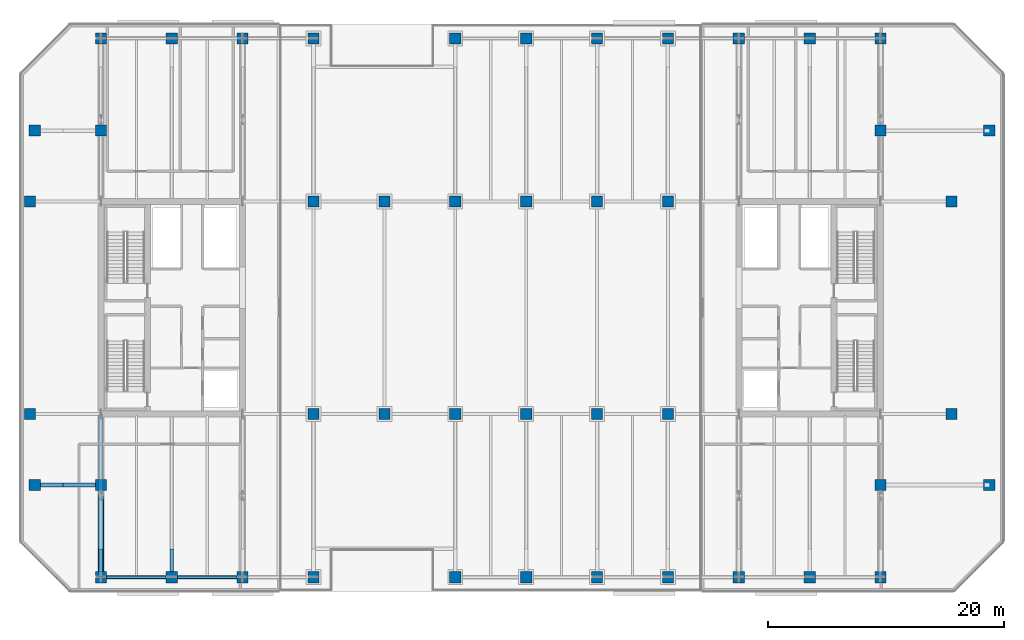
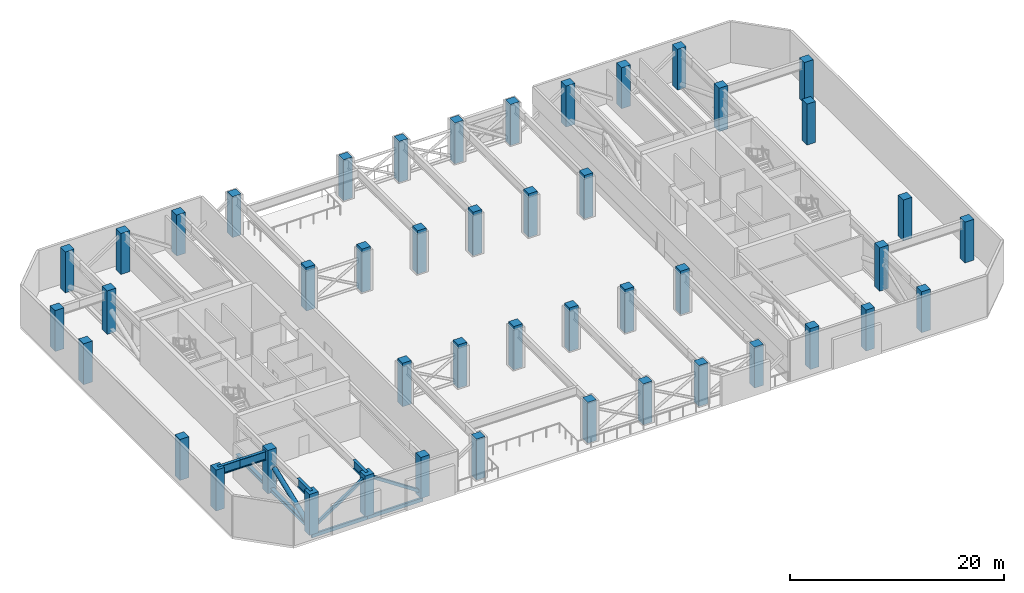
# One storey, part 1 of 21: 46 columns, 6 beams, 4 members.
"""IFC4 building model written with IfcOpenShell, lengths in metres."""

from ifc_helpers import new_model, si_unit, direction, frame, origin, origin_2d, place, context, subcontext, project, spatial, rectangle, hollow_rectangle, hollow_circle, i_section, extrude, material, material_profile, profile_set, type_object, element, save


model = new_model("IFC4")

# Units and contexts
model_context = context("Model", 3, precision=1e-05, world=origin(), true_north=direction((0.0, 1.0)))
body_context = subcontext(model_context, "Body", "Model", "MODEL_VIEW")
ifc_project = project(units=[si_unit("LENGTHUNIT", "METRE"), si_unit("AREAUNIT", "SQUARE_METRE"), si_unit("VOLUMEUNIT", "CUBIC_METRE"), si_unit("PLANEANGLEUNIT", "RADIAN"), si_unit("MASSUNIT", "GRAM", prefix="KILO")], contexts=[model_context])

# Site, building, storey
site_placement = place(None, origin())
site = spatial("IfcSite", under=ifc_project, at=site_placement, CompositionType="ELEMENT")
building_placement = place(site_placement, origin())
building = spatial("IfcBuilding", under=site, at=building_placement, Name="Tanjung Sevakor Pilgrim Tower", CompositionType="ELEMENT")
storey_placement = place(building_placement, frame((0.0, 0.0, 123.090087890625)))
storey = spatial("IfcBuildingStorey", under=building, at=storey_placement, Name="L34", CompositionType="ELEMENT", Elevation=123.090087890625)

# Columns
ifc_material_1 = material(Name="Concrete C60/75", Category="concrete")
ifc_material_profile_1 = material_profile(ifc_material_1, rectangle(XDim=0.949951171875, YDim=0.949951171875, at=origin_2d()))
ifc_profile_set_1 = profile_set([ifc_material_profile_1], Name="Concrete C60/75")
column_type = type_object("IfcColumnType", Name="COL-C-T950-RC_950x950", PredefinedType="COLUMN", material=ifc_profile_set_1)
for number, where, z_axis, x_axis, name in (
    (1, (18.0, 24.60009765625, 0.0), (0.0, 0.0, 1.0), (1.0, 0.0, 0.0), "L34 Column SPW-018-246"),
    (2, (18.0, 42.60009765625, 0.0), (0.0, 0.0, 1.0), (1.0, 0.0, 0.0), "L34 Column SPW-018-426"),
):
    element("IfcColumn", number, at=place(storey_placement, frame(where, z_axis=z_axis, x_axis=x_axis)), inside=storey, type_object=column_type, Name=name, PredefinedType="COLUMN", context=body_context, shape_type="SweptSolid", body=[
        extrude(rectangle(XDim=0.949951171875, YDim=0.949951171875, at=origin_2d()), origin(), (0.0, 0.0, 1.0), 4.669921875),
    ])
for number, where, z_axis, x_axis, name in (
    (3, (42.0, 24.60009765625, 0.0), (0.0, 0.0, 1.0), (1.0, 0.0, 0.0), "L34 Column SPW-042-246"),
    (4, (42.0, 42.60009765625, 0.0), (0.0, 0.0, 1.0), (1.0, 0.0, 0.0), "L34 Column SPW-042-426"),
    (5, (48.0, 24.60009765625, 0.0), (0.0, 0.0, 1.0), (1.0, 0.0, 0.0), "L34 Column SPW-048-246"),
    (6, (48.0, 42.60009765625, 0.0), (0.0, 0.0, 1.0), (1.0, 0.0, 0.0), "L34 Column SPW-048-426"),
    (7, (54.0, 24.60009765625, 0.0), (0.0, 0.0, 1.0), (1.0, 0.0, 0.0), "L34 Column SPE-054-246"),
    (8, (54.0, 42.60009765625, 0.0), (0.0, 0.0, 1.0), (1.0, 0.0, 0.0), "L34 Column SPE-054-426"),
    (9, (60.0, 24.60009765625, 0.0), (0.0, 0.0, 1.0), (1.0, 0.0, 0.0), "L34 Column SPE-060-246"),
    (10, (60.0, 42.60009765625, 0.0), (0.0, 0.0, 1.0), (1.0, 0.0, 0.0), "L34 Column SPE-060-426"),
    (11, (66.0, 24.60009765625, 0.0), (0.0, 0.0, 1.0), (1.0, 0.0, 0.0), "L34 Column SPE-066-246"),
    (12, (66.0, 42.60009765625, 0.0), (0.0, 0.0, 1.0), (1.0, 0.0, 0.0), "L34 Column SPE-066-426"),
    (13, (72.0, 24.60009765625, 0.0), (0.0, 0.0, 1.0), (1.0, 0.0, 0.0), "L34 Column SPE-072-246"),
    (14, (72.0, 42.60009765625, 0.0), (0.0, 0.0, 1.0), (1.0, 0.0, 0.0), "L34 Column SPE-072-426"),
):
    element("IfcColumn", number, at=place(storey_placement, frame(where, z_axis=z_axis, x_axis=x_axis)), inside=storey, type_object=column_type, Name=name, PredefinedType="COLUMN", context=body_context, shape_type="SweptSolid", body=[
        extrude(rectangle(XDim=0.949951171875, YDim=0.949951171875, at=origin_2d()), origin(), (0.0, 0.0, 1.0), 4.949951171875),
    ])
for number, where, z_axis, x_axis, name in (
    (15, (96.0, 24.60009765625, 0.0), (0.0, 0.0, 1.0), (1.0, 0.0, 0.0), "L34 Column SPE-096-246"),
    (16, (96.0, 42.60009765625, 0.0), (0.0, 0.0, 1.0), (1.0, 0.0, 0.0), "L34 Column SPE-096-426"),
    (17, (18.39990234375, 18.60009765625, 0.0), (0.0, 0.0, 1.0), (1.0, 0.0, 0.0), "L34 Column TCE-0184-186"),
    (18, (18.39990234375, 48.60009765625, 0.0), (0.0, 0.0, 1.0), (1.0, 0.0, 0.0), "L34 Column TCE-0184-486"),
):
    element("IfcColumn", number, at=place(storey_placement, frame(where, z_axis=z_axis, x_axis=x_axis)), inside=storey, type_object=column_type, Name=name, PredefinedType="COLUMN", context=body_context, shape_type="SweptSolid", body=[
        extrude(rectangle(XDim=0.949951171875, YDim=0.949951171875, at=origin_2d()), origin(), (0.0, 0.0, 1.0), 4.669921875),
    ])
for number, where, z_axis, x_axis, name in (
    (19, (24.0, 18.60009765625, 0.0), (0.0, 0.0, 1.0), (1.0, 0.0, 0.0), "L34 Column TCE-0240-186"),
    (20, (24.0, 48.60009765625, 0.0), (0.0, 0.0, 1.0), (1.0, 0.0, 0.0), "L34 Column TCE-0240-486"),
    (21, (90.0, 18.60009765625, 0.0), (0.0, 0.0, 1.0), (1.0, 0.0, 0.0), "L34 Column TCE-0900-186"),
    (22, (90.0, 48.60009765625, 0.0), (0.0, 0.0, 1.0), (1.0, 0.0, 0.0), "L34 Column TCE-0900-486"),
):
    element("IfcColumn", number, at=place(storey_placement, frame(where, z_axis=z_axis, x_axis=x_axis)), inside=storey, type_object=column_type, Name=name, PredefinedType="COLUMN", context=body_context, shape_type="SweptSolid", body=[
        extrude(rectangle(XDim=0.949951171875, YDim=0.949951171875, at=origin_2d()), origin(), (0.0, 0.0, 1.0), 4.949951171875),
    ])
for number, where, z_axis, x_axis, name in (
    (23, (99.199951171875, 18.60009765625, 0.0), (0.0, 0.0, 1.0), (1.0, 0.0, 0.0), "L34 Column TCE-0992-186"),
    (24, (99.199951171875, 48.60009765625, 0.0), (0.0, 0.0, 1.0), (1.0, 0.0, 0.0), "L34 Column TCE-0992-486"),
    (25, (24.0, 10.800048828125, 0.0), (0.0, 0.0, 1.0), (1.0, 0.0, 0.0), "L34 Column TC2-024-108"),
    (26, (24.0, 56.39990234375, 0.0), (0.0, 0.0, 1.0), (1.0, 0.0, 0.0), "L34 Column TC2-024-564"),
    (27, (30.0, 10.800048828125, 0.0), (0.0, 0.0, 1.0), (1.0, 0.0, 0.0), "L34 Column TC2-030-108"),
    (28, (30.0, 56.39990234375, 0.0), (0.0, 0.0, 1.0), (1.0, 0.0, 0.0), "L34 Column TC2-030-564"),
    (29, (36.0, 10.800048828125, 0.0), (0.0, 0.0, 1.0), (1.0, 0.0, 0.0), "L34 Column TC2-036-108"),
    (30, (36.0, 56.39990234375, 0.0), (0.0, 0.0, 1.0), (1.0, 0.0, 0.0), "L34 Column TC2-036-564"),
    (31, (42.0, 10.800048828125, 0.0), (0.0, 0.0, 1.0), (1.0, 0.0, 0.0), "L34 Column TC2-042-108"),
    (32, (42.0, 56.39990234375, 0.0), (0.0, 0.0, 1.0), (1.0, 0.0, 0.0), "L34 Column TC2-042-564"),
    (33, (54.0, 10.800048828125, 0.0), (0.0, 0.0, 1.0), (1.0, 0.0, 0.0), "L34 Column TC2-054-108"),
    (34, (54.0, 56.39990234375, 0.0), (0.0, 0.0, 1.0), (1.0, 0.0, 0.0), "L34 Column TC2-054-564"),
    (35, (60.0, 10.800048828125, 0.0), (0.0, 0.0, 1.0), (1.0, 0.0, 0.0), "L34 Column TC2-060-108"),
    (36, (60.0, 56.39990234375, 0.0), (0.0, 0.0, 1.0), (1.0, 0.0, 0.0), "L34 Column TC2-060-564"),
    (37, (66.0, 10.800048828125, 0.0), (0.0, 0.0, 1.0), (1.0, 0.0, 0.0), "L34 Column TC2-066-108"),
    (38, (66.0, 56.39990234375, 0.0), (0.0, 0.0, 1.0), (1.0, 0.0, 0.0), "L34 Column TC2-066-564"),
    (39, (72.0, 10.800048828125, 0.0), (0.0, 0.0, 1.0), (1.0, 0.0, 0.0), "L34 Column TC2-072-108"),
    (40, (72.0, 56.39990234375, 0.0), (0.0, 0.0, 1.0), (1.0, 0.0, 0.0), "L34 Column TC2-072-564"),
    (41, (78.0, 10.800048828125, 0.0), (0.0, 0.0, 1.0), (1.0, 0.0, 0.0), "L34 Column TC2-078-108"),
    (42, (78.0, 56.39990234375, 0.0), (0.0, 0.0, 1.0), (1.0, 0.0, 0.0), "L34 Column TC2-078-564"),
    (43, (84.0, 10.800048828125, 0.0), (0.0, 0.0, 1.0), (1.0, 0.0, 0.0), "L34 Column TC2-084-108"),
    (44, (84.0, 56.39990234375, 0.0), (0.0, 0.0, 1.0), (1.0, 0.0, 0.0), "L34 Column TC2-084-564"),
    (45, (90.0, 10.800048828125, 0.0), (0.0, 0.0, 1.0), (1.0, 0.0, 0.0), "L34 Column TC2-090-108"),
    (46, (90.0, 56.39990234375, 0.0), (0.0, 0.0, 1.0), (1.0, 0.0, 0.0), "L34 Column TC2-090-564"),
):
    element("IfcColumn", number, at=place(storey_placement, frame(where, z_axis=z_axis, x_axis=x_axis)), inside=storey, type_object=column_type, Name=name, PredefinedType="COLUMN", context=body_context, shape_type="SweptSolid", body=[
        extrude(rectangle(XDim=0.949951171875, YDim=0.949951171875, at=origin_2d()), origin(), (0.0, 0.0, 1.0), 4.669921875),
    ])

# Beams
ifc_material_2 = material(Name="Steel S460M", Category="steel")
ifc_material_profile_2 = material_profile(ifc_material_2, i_section(OverallWidth=0.302001953125, OverallDepth=1.008056640625, WebThickness=0.02099609375, FlangeThickness=0.0400390625, FilletRadius=0.030029296875, at=origin_2d()))
ifc_profile_set_2 = profile_set([ifc_material_profile_2], Name="Steel S460M")
beam_type_1 = type_object("IfcBeamType", Name="BM-B-G7-HE_1000M", PredefinedType="BEAM", material=ifc_profile_set_2)
beam_1_placement = place(storey_placement, frame((18.39990234375, 18.60009765625, 4.166015625), z_axis=(1.0, 0.0, 0.0), x_axis=(0.0, 1.0, 0.0)))
element("IfcBeam", 47, at=beam_1_placement, inside=storey, type_object=beam_type_1, Name="L34 Short-End Setback Transfer Girder W Y18.6-1", PredefinedType="BEAM", context=body_context, shape_type="SweptSolid", body=[
    extrude(i_section(OverallWidth=0.302001953125, OverallDepth=1.008056640625, WebThickness=0.02099609375, FlangeThickness=0.0400390625, FilletRadius=0.030029296875, at=origin_2d()), origin(), (0.0, 0.0, 1.0), 2.400146484375),
])
beam_2_placement = place(storey_placement, frame((20.800048828125, 18.60009765625, 4.166015625), z_axis=(1.0, 0.0, 0.0), x_axis=(0.0, 1.0, 0.0)))
element("IfcBeam", 48, at=beam_2_placement, inside=storey, type_object=beam_type_1, Name="L34 Short-End Setback Transfer Girder W Y18.6-2", PredefinedType="BEAM", context=body_context, shape_type="SweptSolid", body=[
    extrude(i_section(OverallWidth=0.302001953125, OverallDepth=1.008056640625, WebThickness=0.02099609375, FlangeThickness=0.0400390625, FilletRadius=0.030029296875, at=origin_2d()), origin(), (0.0, 0.0, 1.0), 3.199951171875),
])
for number, where, z_axis, x_axis, name in (
    (49, (24.0, 10.800048828125, 4.166015625), (0.0, 1.0, 0.0), (-1.0, 0.0, 0.0), "L34 Setback Transfer Girder South X24-1"),
    (50, (30.0, 10.800048828125, 4.166015625), (0.0, 1.0, 0.0), (-1.0, 0.0, 0.0), "L34 Setback Transfer Girder South X30-1"),
):
    element("IfcBeam", number, at=place(storey_placement, frame(where, z_axis=z_axis, x_axis=x_axis)), inside=storey, type_object=beam_type_1, Name=name, PredefinedType="BEAM", context=body_context, shape_type="SweptSolid", body=[
        extrude(i_section(OverallWidth=0.302001953125, OverallDepth=1.008056640625, WebThickness=0.02099609375, FlangeThickness=0.0400390625, FilletRadius=0.030029296875, at=origin_2d()), origin(), (0.0, 0.0, 1.0), 2.39990234375),
    ])
ifc_material_3 = material(Name="Steel S355J2", Category="steel")
ifc_material_profile_3 = material_profile(ifc_material_3, hollow_rectangle(XDim=0.199951171875, YDim=0.39990234375, WallThickness=0.01611328125, at=origin_2d()))
ifc_profile_set_3 = profile_set([ifc_material_profile_3], Name="Steel S355J2")
beam_type_2 = type_object("IfcBeamType", Name="BM-B-SP2-RHS_400x200x16", PredefinedType="SPANDREL", material=ifc_profile_set_3)
for number, where, z_axis, x_axis, name in (
    (51, (24.0, 10.800048828125, -0.47998046875), (1.0, 0.0, 0.0), (0.0, 1.0, 0.0), "L34 Spandrel MAIN S-01"),
    (52, (30.0, 10.800048828125, -0.47998046875), (1.0, 0.0, 0.0), (0.0, 1.0, 0.0), "L34 Spandrel MAIN S-03"),
):
    element("IfcBeam", number, at=place(storey_placement, frame(where, z_axis=z_axis, x_axis=x_axis)), inside=storey, type_object=beam_type_2, Name=name, PredefinedType="SPANDREL", context=body_context, shape_type="SweptSolid", body=[
        extrude(hollow_rectangle(XDim=0.199951171875, YDim=0.39990234375, WallThickness=0.01611328125, at=origin_2d()), origin(), (0.0, 0.0, 1.0), 6.0),
    ])

# Members
ifc_material_4 = material(Name="Steel S460M", Category="steel")
ifc_material_profile_4 = material_profile(ifc_material_4, hollow_circle(Radius=0.25390625, WallThickness=0.02490234375, at=origin_2d()))
ifc_profile_set_4 = profile_set([ifc_material_profile_4], Name="Steel S460M")
member_type_1 = type_object("IfcMemberType", Name="MEM-M-BR3-CHS_508x25", PredefinedType="BRACE", material=ifc_profile_set_4)
member_1_placement = place(storey_placement, frame((24.0, 10.800048828125, 0.349853515625), z_axis=(0.0, 0.93170119451, 0.363225665597), x_axis=(-1.0, 0.0, 0.0)))
element("IfcMember", 53, at=member_1_placement, inside=storey, type_object=member_type_1, Name="OT-2 L34 Outrigger Truss Diagonal 1 X24 S", PredefinedType="BRACE", context=body_context, shape_type="SweptSolid", body=[
    extrude(hollow_circle(Radius=0.25390625, WallThickness=0.02490234375, at=origin_2d()), origin(), (0.0, 0.0, 1.0), 7.40576171875),
])
ifc_material_5 = material(Name="Steel S460M", Category="steel")
ifc_material_profile_5 = material_profile(ifc_material_5, hollow_rectangle(XDim=0.300048828125, YDim=0.300048828125, WallThickness=0.01611328125, at=origin_2d()))
ifc_profile_set_5 = profile_set([ifc_material_profile_5], Name="Steel S460M")
member_type_2 = type_object("IfcMemberType", Name="MEM-M-BR8-SHS_300x300x16", PredefinedType="BRACE", material=ifc_profile_set_5)
for number, where, z_axis, x_axis, name in (
    (54, (24.0, 10.800048828125, 0.349853515625), (0.832940851568, 0.0, 0.553362031395), (0.0, 1.0, 0.0), "BT-1 L34 Belt Truss Diagonal Brace S-01"),
    (55, (30.0, 10.800048828125, 4.3359375), (0.832940851568, 0.0, -0.553362031395), (0.0, 1.0, 0.0), "BT-1 L34 Belt Truss Diagonal Brace S-02"),
):
    element("IfcMember", number, at=place(storey_placement, frame(where, z_axis=z_axis, x_axis=x_axis)), inside=storey, type_object=member_type_2, Name=name, PredefinedType="BRACE", context=body_context, shape_type="SweptSolid", body=[
        extrude(hollow_rectangle(XDim=0.300048828125, YDim=0.300048828125, WallThickness=0.01611328125, at=origin_2d()), origin(), (0.0, 0.0, 1.0), 7.203369140625),
    ])
ifc_material_6 = material(Name="Steel S460M", Category="steel")
ifc_material_profile_6 = material_profile(ifc_material_6, i_section(OverallWidth=0.39892578125, OverallDepth=0.3935546875, WebThickness=0.022705078125, FlangeThickness=0.03662109375, FilletRadius=0.01513671875, at=origin_2d()))
ifc_profile_set_6 = profile_set([ifc_material_profile_6], Name="Steel S460M")
member_type_3 = type_object("IfcMemberType", Name="MEM-M-CH3-UC_356x406x287", PredefinedType="CHORD", material=ifc_profile_set_6)
member_2_placement = place(storey_placement, frame((24.0, 10.800048828125, 0.349853515625), z_axis=(0.0, 1.0, 0.0), x_axis=(-1.0, 0.0, 0.0)))
element("IfcMember", 56, at=member_2_placement, inside=storey, type_object=member_type_3, Name="OT-1 L34 Outrigger Truss Chord X24 S", PredefinedType="CHORD", context=body_context, shape_type="SweptSolid", body=[
    extrude(i_section(OverallWidth=0.39892578125, OverallDepth=0.3935546875, WebThickness=0.022705078125, FlangeThickness=0.03662109375, FilletRadius=0.01513671875, at=origin_2d()), origin(), (0.0, 0.0, 1.0), 13.800048828125),
])

save(model, "model.ifc")
